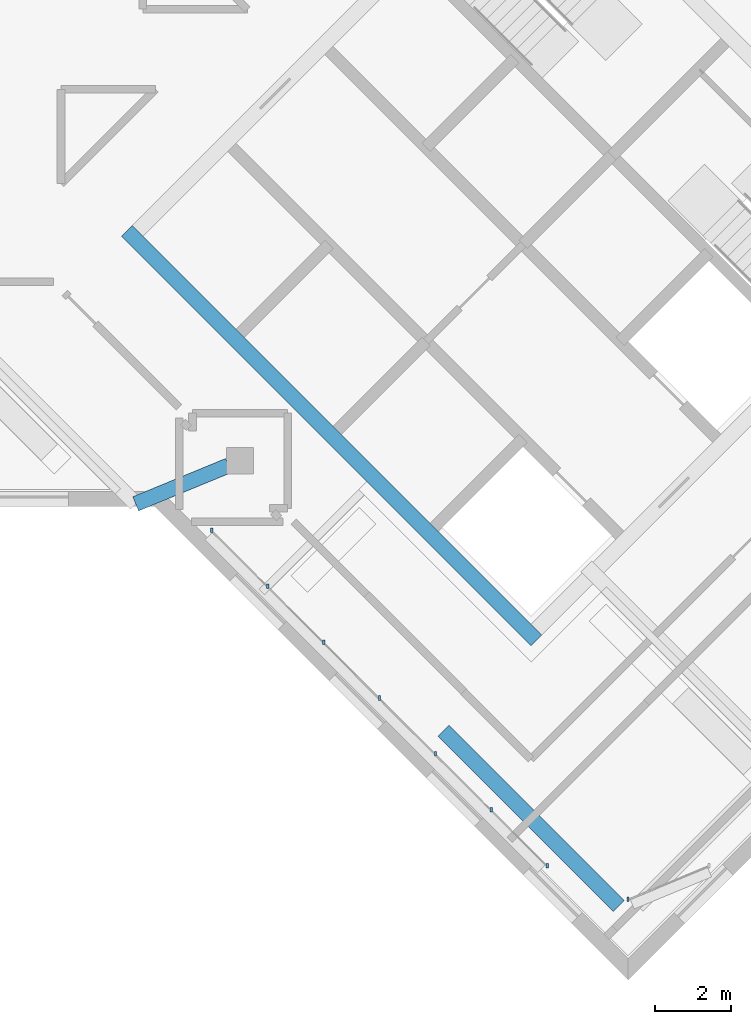
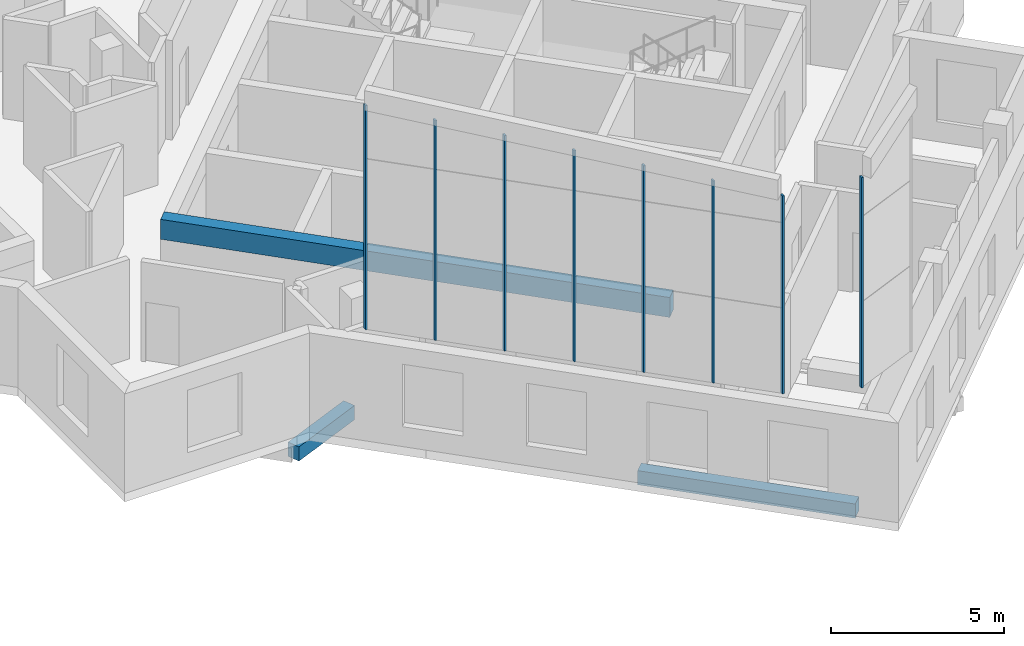
# One storey, part 2 of 13: 8 members, 3 beams, 2 elements without a shape of their own.
"""IFC4 building model written with IfcOpenShell, lengths in metres."""

from ifc_helpers import new_model, si_unit, direction, frame, origin, origin_2d, place, context, subcontext, project, spatial, rectangle, extrude, material, material_profile, profile_set, type_object, element, aggregate, save


model = new_model("IFC4")

# Units and contexts
model_context = context("Model", 3, precision=1e-05, world=origin(), true_north=direction((0.0, 1.0)))
body_context = subcontext(model_context, "Body", "Model", "MODEL_VIEW")
ifc_project = project(units=[si_unit("LENGTHUNIT", "METRE"), si_unit("AREAUNIT", "SQUARE_METRE"), si_unit("VOLUMEUNIT", "CUBIC_METRE"), si_unit("PLANEANGLEUNIT", "RADIAN"), si_unit("MASSUNIT", "GRAM", prefix="KILO")], contexts=[model_context])

# Site, building, storey
site_placement = place(None, origin())
site = spatial("IfcSite", under=ifc_project, at=site_placement, CompositionType="ELEMENT")
building_placement = place(site_placement, origin())
building = spatial("IfcBuilding", under=site, at=building_placement, Name="Windrow Commons", CompositionType="ELEMENT")
storey_placement = place(building_placement, frame((0.0, 0.0, 294.4)))
storey = spatial("IfcBuildingStorey", under=building, at=storey_placement, Name="L80", CompositionType="ELEMENT", Elevation=294.4)

# Curtain wall, member
ifc_material_1 = material(Name="Laminated glass in anodised aluminium frame", Category="aluminium")
curtain_wall_type = type_object("IfcCurtainWallType", Name="Curtain wall crown terrace screen", PredefinedType="USERDEFINED", material=ifc_material_1)
placement = place(storey_placement, origin())
curtain_wall_1 = element("IfcCurtainWall", 1, at=placement, inside=storey, type_object=curtain_wall_type, Name="Glazed crown screen L80", ObjectType="STICK", PredefinedType="USERDEFINED")
ifc_material_2 = material(Name="Anodised aluminium", Category="aluminium")
ifc_material_profile_1 = material_profile(ifc_material_2, rectangle(XDim=0.06, YDim=0.12, at=origin_2d()))
ifc_profile_set_1 = profile_set([ifc_material_profile_1], Name="Anodised aluminium")
member_type = type_object("IfcMemberType", Name="Crown screen mullion 60x120", PredefinedType="MULLION", material=ifc_profile_set_1)
member_1_placement = place(storey_placement, frame((89.3823, 31.6944, 3.5), z_axis=(0.0, 0.0, 1.0), x_axis=(1.0, 0.0, 0.0)))
member_1 = element("IfcMember", 2, at=member_1_placement, type_object=member_type, Name="Crown screen mullion L80", PredefinedType="MULLION", context=body_context, shape_type="SweptSolid", body=[
    extrude(rectangle(XDim=0.06, YDim=0.12, at=origin_2d()), origin(), (0.0, 0.0, 1.0), 7.4008),
])
aggregate(curtain_wall_1, [member_1])

# Curtain wall, members
curtain_wall_2 = element("IfcCurtainWall", 3, at=placement, inside=storey, type_object=curtain_wall_type, Name="Glazed crown screen L80", ObjectType="STICK", PredefinedType="USERDEFINED")
member_2_placement = place(storey_placement, frame((87.2586, 32.5741, 3.5), z_axis=(0.0, 0.0, 1.0), x_axis=(1.0, 0.0, 0.0)))
member_2 = element("IfcMember", 4, at=member_2_placement, type_object=member_type, Name="Crown screen mullion L80", PredefinedType="MULLION", context=body_context, shape_type="SweptSolid", body=[
    extrude(rectangle(XDim=0.06, YDim=0.12, at=origin_2d()), origin(), (0.0, 0.0, 1.0), 6.9692),
])
member_3_placement = place(storey_placement, frame((85.7922, 34.0405, 3.5), z_axis=(0.0, 0.0, 1.0), x_axis=(1.0, 0.0, 0.0)))
member_3 = element("IfcMember", 5, at=member_3_placement, type_object=member_type, Name="Crown screen mullion L80", PredefinedType="MULLION", context=body_context, shape_type="SweptSolid", body=[
    extrude(rectangle(XDim=0.06, YDim=0.12, at=origin_2d()), origin(), (0.0, 0.0, 1.0), 7.1237),
])
member_4_placement = place(storey_placement, frame((84.3257, 35.507, 3.5), z_axis=(0.0, 0.0, 1.0), x_axis=(1.0, 0.0, 0.0)))
member_4 = element("IfcMember", 6, at=member_4_placement, type_object=member_type, Name="Crown screen mullion L80", PredefinedType="MULLION", context=body_context, shape_type="SweptSolid", body=[
    extrude(rectangle(XDim=0.06, YDim=0.12, at=origin_2d()), origin(), (0.0, 0.0, 1.0), 7.2782),
])
member_5_placement = place(storey_placement, frame((82.8593, 36.9735, 3.5), z_axis=(0.0, 0.0, 1.0), x_axis=(1.0, 0.0, 0.0)))
member_5 = element("IfcMember", 7, at=member_5_placement, type_object=member_type, Name="Crown screen mullion L80", PredefinedType="MULLION", context=body_context, shape_type="SweptSolid", body=[
    extrude(rectangle(XDim=0.06, YDim=0.12, at=origin_2d()), origin(), (0.0, 0.0, 1.0), 7.4327),
])
member_6_placement = place(storey_placement, frame((81.3928, 38.4399, 3.5), z_axis=(0.0, 0.0, 1.0), x_axis=(1.0, 0.0, 0.0)))
member_6 = element("IfcMember", 8, at=member_6_placement, type_object=member_type, Name="Crown screen mullion L80", PredefinedType="MULLION", context=body_context, shape_type="SweptSolid", body=[
    extrude(rectangle(XDim=0.06, YDim=0.12, at=origin_2d()), origin(), (0.0, 0.0, 1.0), 7.5871),
])
member_7_placement = place(storey_placement, frame((79.9263, 39.9064, 3.5), z_axis=(0.0, 0.0, 1.0), x_axis=(1.0, 0.0, 0.0)))
member_7 = element("IfcMember", 9, at=member_7_placement, type_object=member_type, Name="Crown screen mullion L80", PredefinedType="MULLION", context=body_context, shape_type="SweptSolid", body=[
    extrude(rectangle(XDim=0.06, YDim=0.12, at=origin_2d()), origin(), (0.0, 0.0, 1.0), 7.7416),
])
member_8_placement = place(storey_placement, frame((78.4599, 41.3728, 3.5), z_axis=(0.0, 0.0, 1.0), x_axis=(1.0, 0.0, 0.0)))
member_8 = element("IfcMember", 10, at=member_8_placement, type_object=member_type, Name="Crown screen mullion L80", PredefinedType="MULLION", context=body_context, shape_type="SweptSolid", body=[
    extrude(rectangle(XDim=0.06, YDim=0.12, at=origin_2d()), origin(), (0.0, 0.0, 1.0), 7.8961),
])
aggregate(curtain_wall_2, [member_2, member_3, member_4, member_5, member_6, member_7, member_8])

# Beams
ifc_material_3 = material(Name="Concrete C40/50", Category="concrete")
ifc_material_profile_2 = material_profile(ifc_material_3, rectangle(XDim=0.4, YDim=0.7, at=origin_2d()))
ifc_profile_set_2 = profile_set([ifc_material_profile_2], Name="Concrete C40/50")
beam_type_1 = type_object("IfcBeamType", Name="RC COUPLING BEAM 400x700 C40/50", PredefinedType="LINTEL", material=ifc_profile_set_2)
beam_1_placement = place(storey_placement, frame((76.2302, 49.2312, 3.15), z_axis=(0.7071034917, -0.7071100706, 0.0), x_axis=(0.7071100706, 0.7071034917, 0.0)))
element("IfcBeam", 11, at=beam_1_placement, inside=storey, type_object=beam_type_1, Name="Core B coupling beam outer-S", PredefinedType="LINTEL", context=body_context, shape_type="SweptSolid", body=[
    extrude(rectangle(XDim=0.4, YDim=0.7, at=origin_2d()), origin(), (0.0, 0.0, 1.0), 15.2),
])
ifc_material_4 = material(Name="Concrete C40/50", Category="concrete")
ifc_material_profile_3 = material_profile(ifc_material_4, rectangle(XDim=0.4, YDim=0.5, at=origin_2d()))
ifc_profile_set_3 = profile_set([ifc_material_profile_3], Name="Concrete C40/50")
beam_type_2 = type_object("IfcBeamType", Name="RC EDGE BEAM 400x500 C40/50", PredefinedType="SPANDREL", material=ifc_profile_set_3)
beam_2_placement = place(storey_placement, frame((78.8962, 43.0748, -0.55), z_axis=(-0.9245003154, -0.3811812782, 0.0), x_axis=(0.3811812782, -0.9245003154, 0.0)))
element("IfcBeam", 12, at=beam_2_placement, inside=storey, type_object=beam_type_2, Name="Terrace base bracket beam TR-L80-4.2", PredefinedType="SPANDREL", context=body_context, shape_type="SweptSolid", body=[
    extrude(rectangle(XDim=0.4, YDim=0.5, at=origin_2d()), origin(), (0.0, 0.0, 1.0), 2.6342),
])
beam_3_placement = place(storey_placement, frame((89.1348, 31.5181, -0.55), z_axis=(-0.7070990888, 0.7071144735, 0.0), x_axis=(-0.7071144735, -0.7070990888, 0.0)))
element("IfcBeam", 13, at=beam_3_placement, inside=storey, type_object=beam_type_2, Name="Edge beam L80 016", PredefinedType="SPANDREL", context=body_context, shape_type="SweptSolid", body=[
    extrude(rectangle(XDim=0.4, YDim=0.5, at=origin_2d()), origin(), (0.0, 0.0, 1.0), 6.4999),
])

save(model, "model.ifc")
